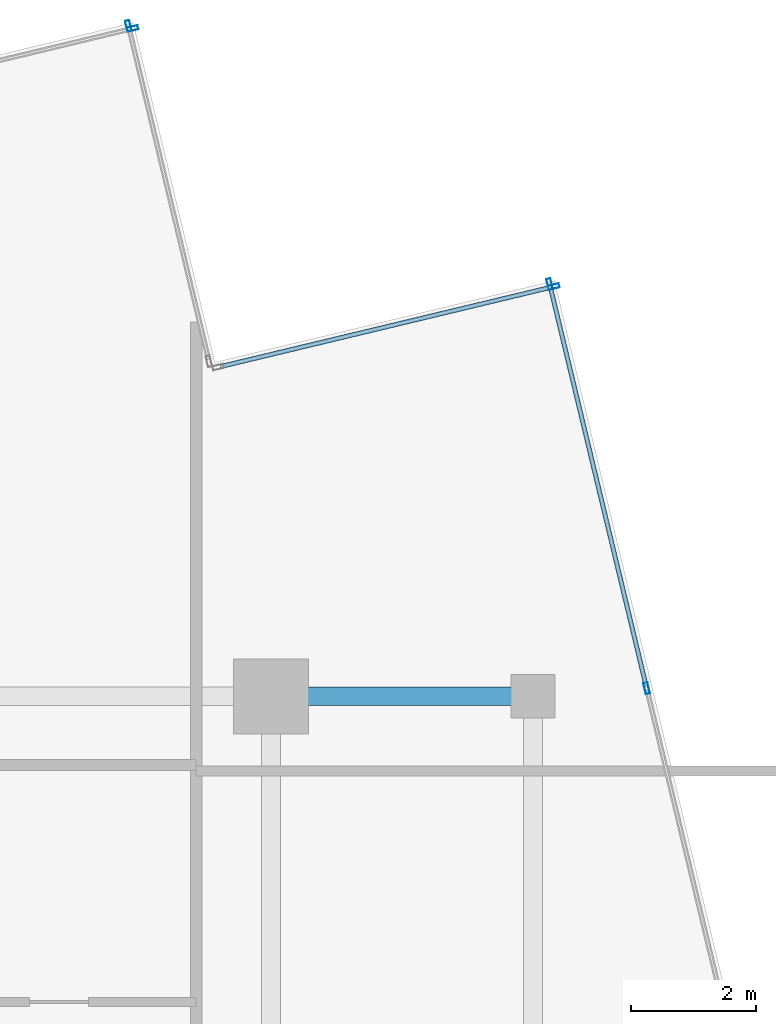
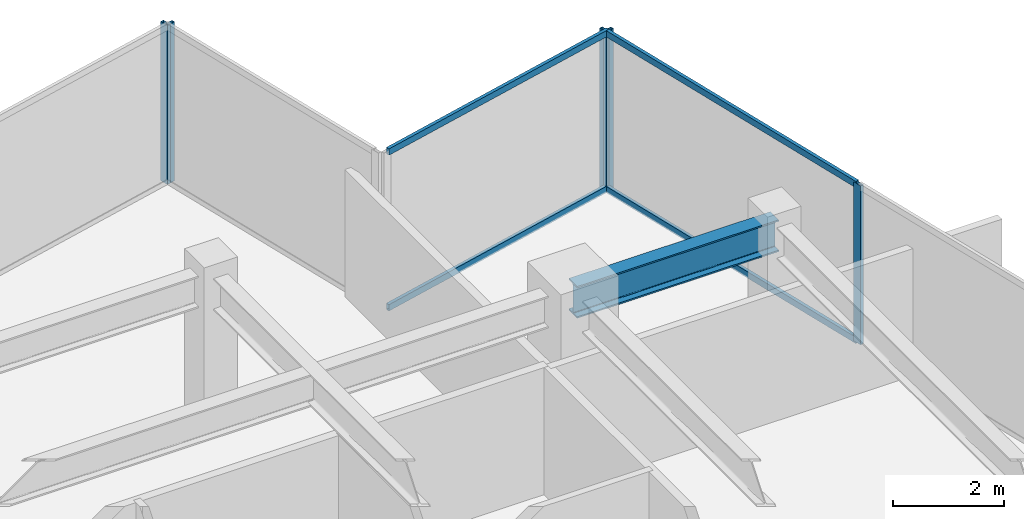
# One storey, part 15 of 19: 9 members, 1 beam, 4 elements without a shape of their own.
"""IFC4 building model written with IfcOpenShell, lengths in metres."""

from ifc_helpers import new_model, si_unit, direction, frame, origin, origin_2d, place, context, subcontext, project, spatial, hollow_rectangle, i_section, extrude, source, transform, mapped, material, material_profile, profile_set, type_object, type_shapes, element, aggregate, save


model = new_model("IFC4")

# Units and contexts
model_context = context("Model", 3, precision=1e-05, world=origin(), true_north=direction((0.0, 1.0)))
body_context = subcontext(model_context, "Body", "Model", "MODEL_VIEW")
ifc_project = project(units=[si_unit("LENGTHUNIT", "METRE"), si_unit("AREAUNIT", "SQUARE_METRE"), si_unit("VOLUMEUNIT", "CUBIC_METRE"), si_unit("PLANEANGLEUNIT", "RADIAN"), si_unit("MASSUNIT", "GRAM", prefix="KILO")], contexts=[model_context])

# Site, building, storey
site_placement = place(None, origin())
site = spatial("IfcSite", under=ifc_project, at=site_placement, CompositionType="ELEMENT")
building_placement = place(site_placement, origin())
building = spatial("IfcBuilding", under=site, at=building_placement, Name="Krantzveldt Concourse Tower", CompositionType="ELEMENT")
storey_placement = place(building_placement, frame((0.0, 0.0, 363.25)))
storey = spatial("IfcBuildingStorey", under=building, at=storey_placement, Name="L89", CompositionType="ELEMENT", Elevation=363.25)

# Beam
ifc_material_1 = material(Name="Steel S355J2", Category="steel")
ifc_material_profile_1 = material_profile(ifc_material_1, i_section(OverallWidth=0.300048828125, OverallDepth=0.699951171875, WebThickness=0.01708984375, FlangeThickness=0.031982421875, FilletRadius=0.027099609375, at=origin_2d()), Name="Steel S355J2", Category="steel")
ifc_profile_set_1 = profile_set([ifc_material_profile_1], Name="Steel S355J2 - HEB 700")
beam_type = type_object("IfcBeamType", Name="BM-B-HEB700", PredefinedType="BEAM", material=ifc_profile_set_1)
shared_shape_1 = source(origin(), body_context, "Body", "SweptSolid", [
    extrude(i_section(OverallWidth=0.300048828125, OverallDepth=0.699951171875, WebThickness=0.01708984375, FlangeThickness=0.031982421875, FilletRadius=0.027099609375, at=origin_2d()), origin(), (0.0, 0.0, 1.0), 4.199951171875),
])
type_shapes(beam_type, [shared_shape_1])
beam_placement = place(storey_placement, frame((46.800048828125, 37.5, 3.14990234375), z_axis=(1.0, 0.0, 0.0), x_axis=(0.0, 1.0, 0.0)))
element("IfcBeam", 1, at=beam_placement, inside=storey, type_object=beam_type, Name="L89 Crown Girder CBG-89-RR3", PredefinedType="BEAM", context=body_context, shape_type="MappedRepresentation", body=[
    mapped(shared_shape_1, transform((0.0, 0.0, 0.0), x_axis=(1.0, 0.0, 0.0), y_axis=(0.0, 1.0, 0.0), z_axis=(0.0, 0.0, 1.0), scale=1.0)),
])

# Curtain wall, members
ifc_material_2 = material(Name="Anodised aluminium 6063-T6", Category="aluminium")
curtain_wall_type = type_object("IfcCurtainWallType", Name="CW7", PredefinedType="USERDEFINED", material=ifc_material_2)
curtain_wall_1_placement = place(storey_placement, origin())
curtain_wall_1 = element("IfcCurtainWall", 2, at=curtain_wall_1_placement, inside=storey, type_object=curtain_wall_type, Name="CW-L89-BASE-10", ObjectType="UNITISED CURTAIN WALL", PredefinedType="USERDEFINED")
ifc_material_profile_2 = material_profile(ifc_material_2, hollow_rectangle(XDim=0.070068359375, YDim=0.139892578125, WallThickness=0.0048828125, at=origin_2d()), Name="Anodised aluminium 6063-T6", Category="aluminium")
ifc_profile_set_2 = profile_set([ifc_material_profile_2], Name="Anodised aluminium 6063-T6 - ALU-TRAN 140x70x5")
member_type_1 = type_object("IfcMemberType", Name="CW-TRN-150", PredefinedType="USERDEFINED", material=ifc_profile_set_2)
shared_shape_2 = source(origin(), body_context, "Body", "SweptSolid", [
    extrude(hollow_rectangle(XDim=0.070068359375, YDim=0.139892578125, WallThickness=0.0048828125, at=origin_2d()), origin(), (0.0, 0.0, 1.0), 6.594970703125),
])
member_1_placement = place(storey_placement, frame((52.815185546875, 37.663330078125, 0.034912109375), z_axis=(-0.233440156887, 0.972371170466, 0.0), x_axis=(-0.972371170466, -0.233440156887, 0.0)))
member_1 = element("IfcMember", 3, at=member_1_placement, type_object=member_type_1, Name="CW-CRN transom 4.1", ObjectType="TRANSOM", PredefinedType="USERDEFINED", context=body_context, shape_type="MappedRepresentation", body=[
    mapped(shared_shape_2, transform((0.0, 0.0, 0.0), x_axis=(1.0, 0.0, 0.0), y_axis=(0.0, 1.0, 0.0), z_axis=(0.0, 0.0, 1.0), scale=1.0)),
])
member_2_placement = place(storey_placement, frame((52.815185546875, 37.663330078125, 3.465087890625), z_axis=(-0.233440156887, 0.972371170466, 0.0), x_axis=(-0.972371170466, -0.233440156887, 0.0)))
member_2 = element("IfcMember", 4, at=member_2_placement, type_object=member_type_1, Name="CW-CRN transom 4.2", ObjectType="TRANSOM", PredefinedType="USERDEFINED", context=body_context, shape_type="MappedRepresentation", body=[
    mapped(shared_shape_2, transform((0.0, 0.0, 0.0), x_axis=(1.0, 0.0, 0.0), y_axis=(0.0, 1.0, 0.0), z_axis=(0.0, 0.0, 1.0), scale=1.0)),
])

# Curtain wall, member
curtain_wall_2_placement = place(storey_placement, origin())
curtain_wall_2 = element("IfcCurtainWall", 5, at=curtain_wall_2_placement, inside=storey, type_object=curtain_wall_type, Name="CW-L89-BASE-00", ObjectType="UNITISED CURTAIN WALL", PredefinedType="USERDEFINED")
ifc_material_profile_3 = material_profile(ifc_material_2, hollow_rectangle(XDim=0.070068359375, YDim=0.179931640625, WallThickness=0.0048828125, at=origin_2d()), Name="Anodised aluminium 6063-T6", Category="aluminium")
ifc_profile_set_3 = profile_set([ifc_material_profile_3], Name="Anodised aluminium 6063-T6 - ALU-MULL 180x70x5")
member_type_2 = type_object("IfcMemberType", Name="CW-MUL-180", PredefinedType="MULLION", material=ifc_profile_set_3)
shared_shape_3 = source(origin(), body_context, "Body", "SweptSolid", [
    extrude(hollow_rectangle(XDim=0.070068359375, YDim=0.179931640625, WallThickness=0.0048828125, at=origin_2d()), origin(), (0.0, 0.0, 1.0), 3.5),
])
type_shapes(member_type_2, [shared_shape_3])
member_3_placement = place(storey_placement, frame((44.514892578125, 48.248046875, 0.0), z_axis=(0.0, 0.0, 1.0), x_axis=(-0.97237016625, -0.233444339805, 0.0)))
member_3 = element("IfcMember", 6, at=member_3_placement, type_object=member_type_2, Name="CW-CRN mullion 2", PredefinedType="MULLION", context=body_context, shape_type="MappedRepresentation", body=[
    mapped(shared_shape_3, transform((0.0, 0.0, 0.0), x_axis=(1.0, 0.0, 0.0), y_axis=(0.0, 1.0, 0.0), z_axis=(0.0, 0.0, 1.0), scale=1.0)),
])
aggregate(curtain_wall_2, [member_3])

curtain_wall_3_placement = place(storey_placement, origin())
curtain_wall_3 = element("IfcCurtainWall", 7, at=curtain_wall_3_placement, inside=storey, type_object=curtain_wall_type, Name="CW-L89-BASE-01", ObjectType="UNITISED CURTAIN WALL", PredefinedType="USERDEFINED")
member_4_placement = place(storey_placement, frame((44.581298828125, 48.20751953125, 0.0), z_axis=(0.0, 0.0, 1.0), x_axis=(0.233445461796, -0.972369896884, 0.0)))
member_4 = element("IfcMember", 8, at=member_4_placement, type_object=member_type_2, Name="CW-CRN mullion 1", PredefinedType="MULLION", context=body_context, shape_type="MappedRepresentation", body=[
    mapped(shared_shape_3, transform((0.0, 0.0, 0.0), x_axis=(1.0, 0.0, 0.0), y_axis=(0.0, 1.0, 0.0), z_axis=(0.0, 0.0, 1.0), scale=1.0)),
])
aggregate(curtain_wall_3, [member_4])

# Member
member_5_placement = place(storey_placement, frame((52.823486328125, 37.62939453125, 0.0), z_axis=(0.0, 0.0, 1.0), x_axis=(-0.972369896884, -0.233445461796, 0.0)))
member_5 = element("IfcMember", 9, at=member_5_placement, type_object=member_type_2, Name="CW-CRN mullion 4", PredefinedType="MULLION", context=body_context, shape_type="MappedRepresentation", body=[
    mapped(shared_shape_3, transform((0.0, 0.0, 0.0), x_axis=(1.0, 0.0, 0.0), y_axis=(0.0, 1.0, 0.0), z_axis=(0.0, 0.0, 1.0), scale=1.0)),
])

member_6_placement = place(storey_placement, frame((51.267578125, 44.110107421875, 0.0), z_axis=(0.0, 0.0, 1.0), x_axis=(-0.972369896884, -0.233445461796, 0.0)))
member_6 = element("IfcMember", 10, at=member_6_placement, type_object=member_type_2, Name="CW-CRN mullion 5", PredefinedType="MULLION", context=body_context, shape_type="MappedRepresentation", body=[
    mapped(shared_shape_3, transform((0.0, 0.0, 0.0), x_axis=(1.0, 0.0, 0.0), y_axis=(0.0, 1.0, 0.0), z_axis=(0.0, 0.0, 1.0), scale=1.0)),
])

aggregate(curtain_wall_1, [member_5, member_6, member_1, member_2])

# Curtain wall, members
curtain_wall_4_placement = place(storey_placement, origin())
curtain_wall_4 = element("IfcCurtainWall", 11, at=curtain_wall_4_placement, inside=storey, type_object=curtain_wall_type, Name="CW-L89-BASE-11", ObjectType="UNITISED CURTAIN WALL", PredefinedType="USERDEFINED")
member_7_placement = place(storey_placement, frame((51.333740234375, 44.069580078125, 0.0), z_axis=(0.0, 0.0, 1.0), x_axis=(0.233446433541, -0.972369663588, 0.0)))
member_7 = element("IfcMember", 12, at=member_7_placement, type_object=member_type_2, Name="CW-CRN mullion 1", PredefinedType="MULLION", context=body_context, shape_type="MappedRepresentation", body=[
    mapped(shared_shape_3, transform((0.0, 0.0, 0.0), x_axis=(1.0, 0.0, 0.0), y_axis=(0.0, 1.0, 0.0), z_axis=(0.0, 0.0, 1.0), scale=1.0)),
])
shared_shape_4 = source(origin(), body_context, "Body", "SweptSolid", [
    extrude(hollow_rectangle(XDim=0.070068359375, YDim=0.139892578125, WallThickness=0.0048828125, at=origin_2d()), origin(), (0.0, 0.0, 1.0), 5.4599609375),
])
type_shapes(member_type_1, [shared_shape_2, shared_shape_4])
member_8_placement = place(storey_placement, frame((51.2998046875, 44.061279296875, 0.034912109375), z_axis=(-0.972377559841, -0.23341354099, 0.0), x_axis=(0.23341354099, -0.972377559841, 0.0)))
member_8 = element("IfcMember", 13, at=member_8_placement, type_object=member_type_1, Name="CW-CRN transom 1.1", ObjectType="TRANSOM", PredefinedType="USERDEFINED", context=body_context, shape_type="MappedRepresentation", body=[
    mapped(shared_shape_4, transform((0.0, 0.0, 0.0), x_axis=(1.0, 0.0, 0.0), y_axis=(0.0, 1.0, 0.0), z_axis=(0.0, 0.0, 1.0), scale=1.0)),
])
member_9_placement = place(storey_placement, frame((51.2998046875, 44.061279296875, 3.465087890625), z_axis=(-0.972377559841, -0.23341354099, 0.0), x_axis=(0.23341354099, -0.972377559841, 0.0)))
member_9 = element("IfcMember", 14, at=member_9_placement, type_object=member_type_1, Name="CW-CRN transom 1.2", ObjectType="TRANSOM", PredefinedType="USERDEFINED", context=body_context, shape_type="MappedRepresentation", body=[
    mapped(shared_shape_4, transform((0.0, 0.0, 0.0), x_axis=(1.0, 0.0, 0.0), y_axis=(0.0, 1.0, 0.0), z_axis=(0.0, 0.0, 1.0), scale=1.0)),
])
aggregate(curtain_wall_4, [member_7, member_8, member_9])

save(model, "model.ifc")
